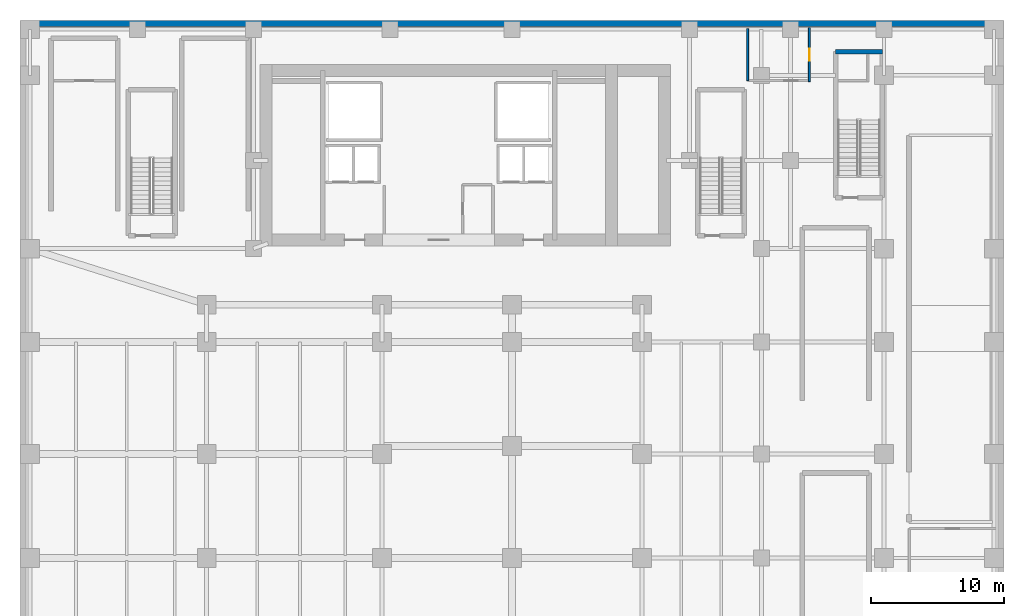
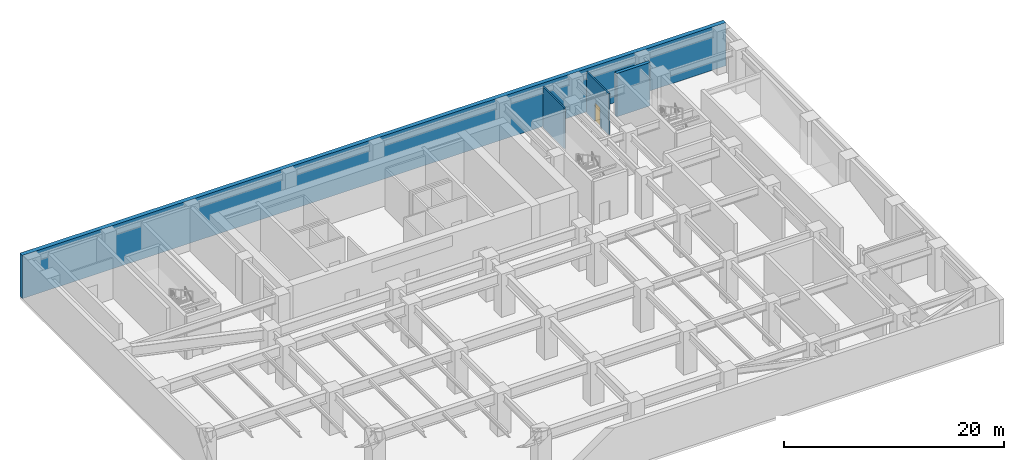
# One storey, part 5 of 8: 4 walls, 1 door, 1 opening.
"""IFC4 building model written with IfcOpenShell, lengths in metres."""

from ifc_helpers import new_model, si_unit, direction, frame, frame_2d, origin, place, context, subcontext, project, spatial, rectangle, extrude, source, transform, mapped, material, layer, layer_set, type_object, type_shapes, element, fill, save


model = new_model("IFC4")

# Units and contexts
model_context = context("Model", 3, precision=1e-05, world=origin(), true_north=direction((0.0, 1.0)))
body_context = subcontext(model_context, "Body", "Model", "MODEL_VIEW")
ifc_project = project(units=[si_unit("LENGTHUNIT", "METRE"), si_unit("AREAUNIT", "SQUARE_METRE"), si_unit("VOLUMEUNIT", "CUBIC_METRE"), si_unit("PLANEANGLEUNIT", "RADIAN"), si_unit("MASSUNIT", "GRAM", prefix="KILO")], contexts=[model_context])

# Site, building, storey
site_placement = place(None, origin())
site = spatial("IfcSite", under=ifc_project, at=site_placement, CompositionType="ELEMENT")
building_placement = place(site_placement, origin())
building = spatial("IfcBuilding", under=site, at=building_placement, Name="Tolvann Quenvar Hotel", CompositionType="ELEMENT")
storey_placement = place(building_placement, frame((0.0, 0.0, -9.60009765625)))
storey = spatial("IfcBuildingStorey", under=building, at=storey_placement, Name="B02", CompositionType="ELEMENT", Elevation=-9.60009765625)

# Walls
ifc_material_1 = material(Name="Concrete S65 (65 MPa)", Category="concrete")
ifc_layer_1 = layer(ifc_material_1, 0.35009765625)
ifc_layer_set_1 = layer_set([ifc_layer_1], Name="Concrete S65 (65 MPa)")
wall_type_1 = type_object("IfcWallType", Name="WALL_CORE_INT_350", PredefinedType="SHEAR", material=ifc_layer_set_1)
wall_1_placement = place(storey_placement, frame((56.27490234375, 46.175048828125, 0.0), z_axis=(0.0, 0.0, 1.0), x_axis=(-1.0, 0.0, 0.0)))
element("IfcWall", 1, at=wall_1_placement, inside=storey, type_object=wall_type_1, Name="Stairwell ST-B3 Structural Shaft Wall N (B02)", PredefinedType="SHEAR", context=body_context, shape_type="SweptSolid", body=[
    extrude(rectangle(XDim=3.5, YDim=0.35009765625, at=frame_2d((1.75, 0.0))), origin(), (0.0, 0.0, 1.0), 4.800048828125),
])
ifc_material_2 = material(Name="Acoustic twin-stud fire-rated gypsum plasterboard partition")
ifc_layer_2 = layer(ifc_material_2, 0.14990234375)
ifc_layer_set_2 = layer_set([ifc_layer_2], Name="Acoustic twin-stud fire-rated gypsum plasterboard partition")
wall_type_2 = type_object("IfcWallType", Name="WALL_PART_SUITE_150", PredefinedType="PARTITIONING", material=ifc_layer_set_2)
wall_2_placement = place(storey_placement, frame((46.179931640625, 44.0, 0.0), z_axis=(0.0, 0.0, 1.0), x_axis=(0.0, 1.0, 0.0)))
element("IfcWall", 2, at=wall_2_placement, inside=storey, type_object=wall_type_2, Name="Interior Partition PT-SPC-B02-LOCK-W", PredefinedType="PARTITIONING", context=body_context, shape_type="SweptSolid", body=[
    extrude(rectangle(XDim=3.89990234375, YDim=0.14990234375, at=frame_2d((1.949951171875, 0.0))), origin(), (0.0, 0.0, 1.0), 4.5400390625),
])

# Wall, opening, door
wall_3_placement = place(storey_placement, frame((50.800048828125, 43.929931640625, 0.0), z_axis=(0.0, 0.0, 1.0), x_axis=(0.0, 1.0, 0.0)))
wall_3 = element("IfcWall", 3, at=wall_3_placement, inside=storey, type_object=wall_type_2, Name="Interior Partition PT-SPC-B02-LOCK-E", PredefinedType="PARTITIONING", context=body_context, shape_type="SweptSolid", body=[
    extrude(rectangle(XDim=4.0400390625, YDim=0.14990234375, at=frame_2d((2.02001953125, 0.0))), origin(), (0.0, 0.0, 1.0), 4.5400390625),
])
opening_placement = place(wall_3_placement, frame((1.56005859375, 0.0, 0.0)))
opening = element("IfcOpeningElement", 4, at=opening_placement, cuts=wall_3, Name="Opening WD-01", PredefinedType="OPENING", context=body_context, shape_type="SweptSolid", body=[
    extrude(rectangle(XDim=0.919921875, YDim=2.010009765625, at=frame_2d((0.4599609375, 1.0048828125))), frame((0.0, 0.0849609375, 0.0), z_axis=(0.0, -1.0, 0.0), x_axis=(1.0, 0.0, 0.0)), (0.0, 0.0, 1.0), 0.169921875),
])
ifc_material_3 = material(Name="Solid-core American oak acoustic fire door leaf in steel frame", Category="steel")
door_type = type_object("IfcDoorType", Name="DOOR_WC_920", OperationType="NOTDEFINED", PredefinedType="DOOR", material=ifc_material_3)
shared_shape = source(origin(), body_context, "Body", "SweptSolid", [
    extrude(rectangle(XDim=0.919921875, YDim=2.010009765625, at=frame_2d((0.4599609375, 1.0048828125))), frame((0.0, 0.02490234375, 0.0), z_axis=(0.0, -1.0, 0.0), x_axis=(1.0, 0.0, 0.0)), (0.0, 0.0, 1.0), 0.050048828125),
])
type_shapes(door_type, [shared_shape])
door_placement = place(opening_placement, origin())
door = element("IfcDoor", 5, at=door_placement, inside=storey, type_object=door_type, Name="Interior Door DOOR-SPC-B02-WC", OperationType="SINGLE_SWING_LEFT", OverallHeight=2.010009765625, OverallWidth=0.919921875, PredefinedType="DOOR", context=body_context, shape_type="MappedRepresentation", body=[
    mapped(shared_shape, transform((0.0, 0.0, 0.0), x_axis=(1.0, 0.0, 0.0), y_axis=(0.0, 1.0, 0.0), z_axis=(0.0, 0.0, 1.0), scale=1.0)),
])
fill(opening, door)

# Wall
ifc_material_4 = material(Name="Concrete N50 (50 MPa)", Category="concrete")
ifc_layer_3 = layer(ifc_material_4, 0.449951171875)
ifc_layer_set_3 = layer_set([ifc_layer_3], Name="Concrete N50 (50 MPa)")
wall_type_3 = type_object("IfcWallType", Name="WALL_RET_450", PredefinedType="SOLIDWALL", material=ifc_layer_set_3)
wall_4_placement = place(storey_placement, frame((-8.39990234375, 48.27490234375, 0.0), z_axis=(0.0, 0.0, 1.0), x_axis=(1.0, 0.0, 0.0)))
element("IfcWall", 6, at=wall_4_placement, inside=storey, type_object=wall_type_3, Name="Basement Perimeter Retaining Wall N (B02)", PredefinedType="SOLIDWALL", context=body_context, shape_type="SweptSolid", body=[
    extrude(rectangle(XDim=73.7998046875, YDim=0.449951171875, at=frame_2d((36.89990234375, 0.0))), origin(), (0.0, 0.0, 1.0), 4.800048828125),
])

save(model, "model.ifc")
